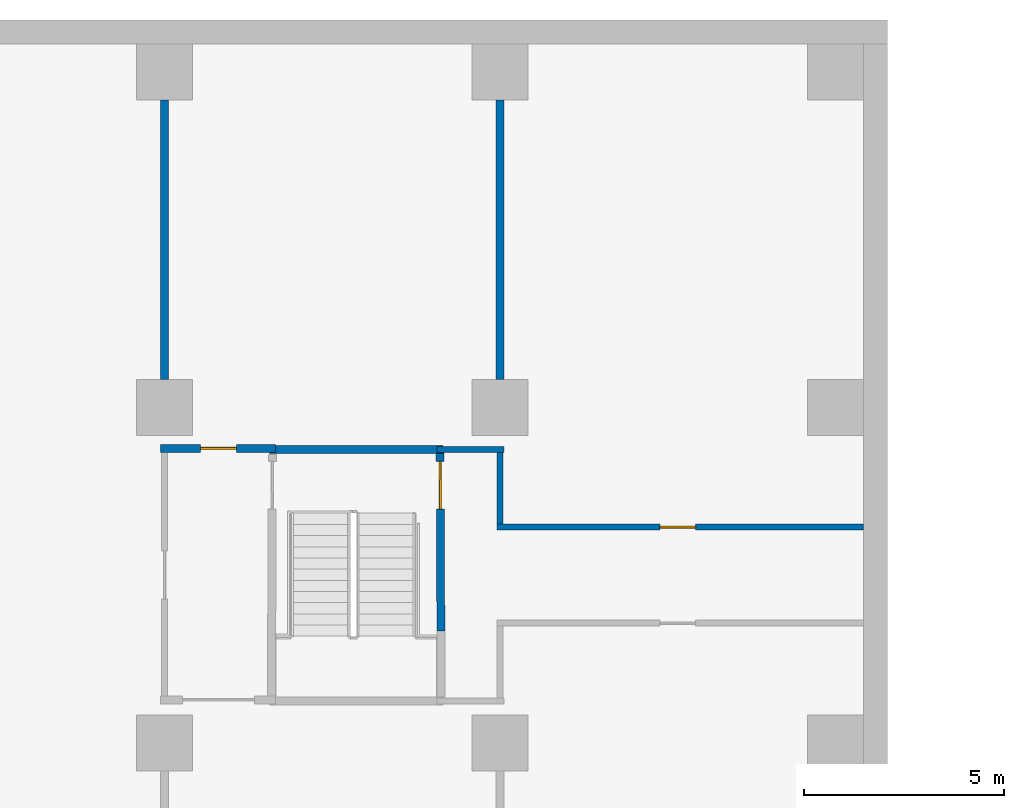
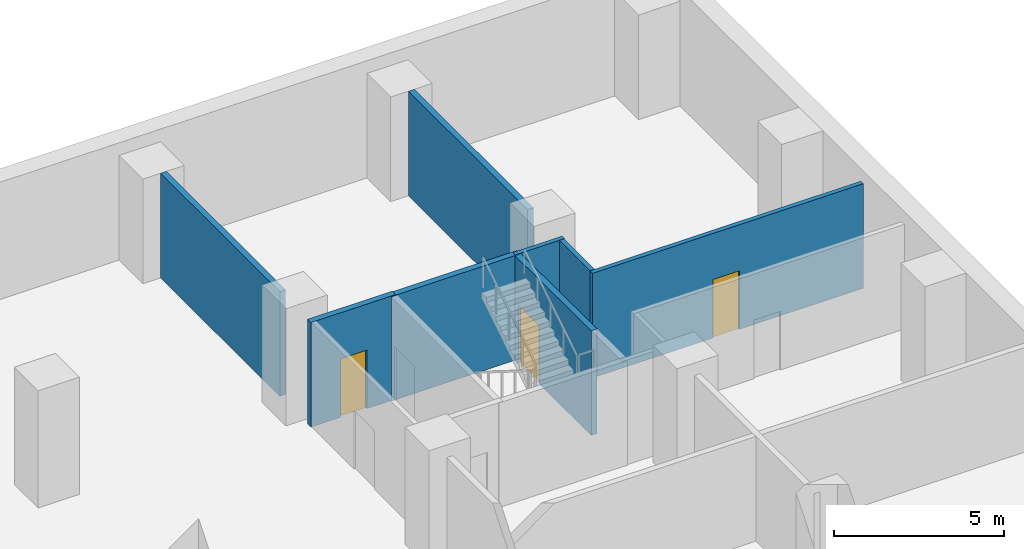
# One storey, part 11 of 17: 8 walls, 3 doors, 3 openings.
"""IFC4 building model written with IfcOpenShell, lengths in metres."""

from ifc_helpers import new_model, si_unit, direction, frame, frame_2d, origin, place, context, subcontext, project, spatial, rectangle, extrude, material, layer, layer_set, type_object, element, fill, save


model = new_model("IFC4")

# Units and contexts
model_context = context("Model", 3, precision=1e-05, world=origin(), true_north=direction((0.0, 1.0)))
body_context = subcontext(model_context, "Body", "Model", "MODEL_VIEW")
ifc_project = project(units=[si_unit("LENGTHUNIT", "METRE"), si_unit("AREAUNIT", "SQUARE_METRE"), si_unit("VOLUMEUNIT", "CUBIC_METRE"), si_unit("PLANEANGLEUNIT", "RADIAN"), si_unit("MASSUNIT", "GRAM", prefix="KILO")], contexts=[model_context])

# Site, building, storey
site_placement = place(None, origin())
site = spatial("IfcSite", under=ifc_project, at=site_placement, CompositionType="ELEMENT")
building_placement = place(site_placement, origin())
building = spatial("IfcBuilding", under=site, at=building_placement, Name="Vermilion Ogive Tower", CompositionType="ELEMENT")
storey_placement = place(building_placement, frame((0.0, 0.0, -4.199951171875)))
storey = spatial("IfcBuildingStorey", under=building, at=storey_placement, Name="B1", CompositionType="ELEMENT", Elevation=-4.199951171875)

# Wall, opening, door
ifc_material_1 = material(Name="Gypsum board partition on steel studs", Category="steel")
ifc_layer_1 = layer(ifc_material_1, 0.14990234375)
ifc_layer_set_1 = layer_set([ifc_layer_1], Name="Partition 150 corridor")
wall_type_1 = type_object("IfcWallType", Name="Partition 150 corridor", PredefinedType="PARTITIONING", material=ifc_layer_set_1)
wall_1_placement = place(storey_placement, frame((50.324951171875, 26.39990234375, 0.0), z_axis=(0.0, 0.0, 1.0), x_axis=(1.0, 0.0, 0.0)))
wall_1 = element("IfcWall", 1, at=wall_1_placement, inside=storey, type_object=wall_type_1, Name="B1-PK-W-W034", PredefinedType="PARTITIONING", context=body_context, shape_type="SweptSolid", body=[
    extrude(rectangle(XDim=9.174072265625, YDim=0.14990234375, at=frame_2d((4.5869140625, 0.0))), origin(), (0.0, 0.0, 1.0), 3.75),
])
opening_1_placement = place(wall_1_placement, frame((4.0751953125, 0.0, 0.0)))
opening_1 = element("IfcOpeningElement", 2, at=opening_1_placement, cuts=wall_1, Name="Opening PK1-31", PredefinedType="OPENING", context=body_context, shape_type="SweptSolid", body=[
    extrude(rectangle(XDim=0.89990234375, YDim=2.10009765625, at=frame_2d((0.449951171875, 1.050048828125))), frame((0.0, 0.0849609375, 0.0), z_axis=(0.0, -1.0, 0.0), x_axis=(1.0, 0.0, 0.0)), (0.0, 0.0, 1.0), 0.169921875),
])
ifc_material_2 = material(Name="Timber door leaf", Category="wood")
door_type_1 = type_object("IfcDoorType", Name="Staff door 900 x 2100 FD30", OperationType="SINGLE_SWING_LEFT", PredefinedType="DOOR", material=ifc_material_2)
door_1_placement = place(opening_1_placement, origin())
door_1 = element("IfcDoor", 3, at=door_1_placement, inside=storey, type_object=door_type_1, Name="B1-PK-D-D031", OperationType="SINGLE_SWING_RIGHT", OverallHeight=2.10009765625, OverallWidth=0.89990234375, PredefinedType="DOOR", context=body_context, shape_type="SweptSolid", body=[
    extrude(rectangle(XDim=0.89990234375, YDim=2.10009765625, at=frame_2d((0.449951171875, 1.050048828125))), frame((0.0, 0.02490234375, 0.0), z_axis=(0.0, -1.0, 0.0), x_axis=(1.0, 0.0, 0.0)), (0.0, 0.0, 1.0), 0.050048828125),
])
fill(opening_1, door_1)

# Walls
wall_2_placement = place(storey_placement, frame((48.824951171875, 28.35009765625, 0.0), z_axis=(0.0, 0.0, 1.0), x_axis=(1.0, 0.0, 0.0)))
element("IfcWall", 4, at=wall_2_placement, inside=storey, type_object=wall_type_1, Name="B1-PK-W-W037", PredefinedType="PARTITIONING", context=body_context, shape_type="SweptSolid", body=[
    extrude(rectangle(XDim=1.675048828125, YDim=0.14990234375, at=frame_2d((0.83740234375, 0.0))), origin(), (0.0, 0.0, 1.0), 3.75),
])
wall_3_placement = place(storey_placement, frame((50.39990234375, 26.47509765625, 0.0), z_axis=(0.0, 0.0, 1.0), x_axis=(0.0, 1.0, 0.0)))
element("IfcWall", 5, at=wall_3_placement, inside=storey, type_object=wall_type_1, Name="B1-PK-W-W078", PredefinedType="PARTITIONING", context=body_context, shape_type="SweptSolid", body=[
    extrude(rectangle(XDim=1.7998046875, YDim=0.14990234375, at=frame_2d((0.89990234375, 0.0))), origin(), (0.0, 0.0, 1.0), 3.75),
])
ifc_material_3 = material(Name="Gypsum board partition on steel studs", Category="steel")
ifc_layer_2 = layer(ifc_material_3, 0.199951171875)
ifc_layer_set_2 = layer_set([ifc_layer_2], Name="Partition 200 party")
wall_type_2 = type_object("IfcWallType", Name="Partition 200 party", PredefinedType="PARTITIONING", material=ifc_layer_set_2)
for number, where, z_axis, x_axis, name in (
    (6, (42.0, 30.10009765625, 0.0), (0.0, 0.0, 1.0), (0.0, 1.0, 0.0), "B1-PK-W-W062a"),
    (7, (50.39990234375, 30.10009765625, 0.0), (0.0, 0.0, 1.0), (0.0, 1.0, 0.0), "B1-PK-W-W079a"),
):
    element("IfcWall", number, at=place(storey_placement, frame(where, z_axis=z_axis, x_axis=x_axis)), inside=storey, type_object=wall_type_2, Name=name, PredefinedType="PARTITIONING", context=body_context, shape_type="SweptSolid", body=[
        extrude(rectangle(XDim=7.0, YDim=0.199951171875, at=frame_2d((3.5, 0.0))), origin(), (0.0, 0.0, 1.0), 3.75),
    ])

# Wall, opening, door
ifc_material_4 = material(Name="Concrete B60", Category="concrete")
ifc_layer_3 = layer(ifc_material_4, 0.199951171875)
ifc_layer_set_3 = layer_set([ifc_layer_3], Name="Stair shaft wall 200 Concrete B60")
wall_type_3 = type_object("IfcWallType", Name="Stair shaft wall 200 Concrete B60", PredefinedType="SOLIDWALL", material=ifc_layer_set_3)
wall_4_placement = place(storey_placement, frame((41.89990234375, 28.375, 0.0), z_axis=(0.0, 0.0, 1.0), x_axis=(1.0, 0.0, 0.0)))
wall_4 = element("IfcWall", 8, at=wall_4_placement, inside=storey, type_object=wall_type_3, Name="B1-PK-W-W035", PredefinedType="SOLIDWALL", context=body_context, shape_type="SweptSolid", body=[
    extrude(rectangle(XDim=2.875, YDim=0.199951171875, at=frame_2d((1.4375, 0.0))), origin(), (0.0, 0.0, 1.0), 3.75),
])
opening_2_placement = place(wall_4_placement, frame((1.0, 0.0, 0.0)))
opening_2 = element("IfcOpeningElement", 9, at=opening_2_placement, cuts=wall_4, Name="Opening PK1-30", PredefinedType="OPENING", context=body_context, shape_type="SweptSolid", body=[
    extrude(rectangle(XDim=0.89990234375, YDim=2.10009765625, at=frame_2d((0.449951171875, 1.050048828125))), frame((0.0, 0.10986328125, 0.0), z_axis=(0.0, -1.0, 0.0), x_axis=(1.0, 0.0, 0.0)), (0.0, 0.0, 1.0), 0.219970703125),
])
door_2_placement = place(opening_2_placement, origin())
door_2 = element("IfcDoor", 10, at=door_2_placement, inside=storey, type_object=door_type_1, Name="B1-PK-D-D030", OperationType="SINGLE_SWING_LEFT", OverallHeight=2.10009765625, OverallWidth=0.89990234375, PredefinedType="DOOR", context=body_context, shape_type="SweptSolid", body=[
    extrude(rectangle(XDim=0.89990234375, YDim=2.10009765625, at=frame_2d((0.449951171875, 1.050048828125))), frame((0.0, 0.02490234375, 0.0), z_axis=(0.0, -1.0, 0.0), x_axis=(1.0, 0.0, 0.0)), (0.0, 0.0, 1.0), 0.050048828125),
])
fill(opening_2, door_2)

# Wall
wall_5_placement = place(storey_placement, frame((44.625, 28.35009765625, 0.0), z_axis=(0.0, 0.0, 1.0), x_axis=(1.0, 0.0, 0.0)))
element("IfcWall", 11, at=wall_5_placement, inside=storey, type_object=wall_type_3, Name="B1-PK-W-W036", PredefinedType="SOLIDWALL", context=body_context, shape_type="SweptSolid", body=[
    extrude(rectangle(XDim=4.35009765625, YDim=0.199951171875, at=frame_2d((2.175048828125, 0.0))), origin(), (0.0, 0.0, 1.0), 3.75),
])

# Wall, opening, door
wall_6_placement = place(storey_placement, frame((48.918212890625, 23.7998046875, 0.0), z_axis=(0.0, 0.0, 1.0), x_axis=(-0.004091618778, 0.999991629293, 0.0)))
wall_6 = element("IfcWall", 12, at=wall_6_placement, inside=storey, type_object=wall_type_3, Name="B1-PK-W-W068-B", PredefinedType="SOLIDWALL", context=body_context, shape_type="SweptSolid", body=[
    extrude(rectangle(XDim=4.47509765625, YDim=0.199951171875, at=frame_2d((2.237548828125, 0.0))), origin(), (0.0, 0.0, 1.0), 3.75),
])
opening_3_placement = place(wall_6_placement, frame((3.05029296875, 0.0, 0.0)))
opening_3 = element("IfcOpeningElement", 13, at=opening_3_placement, cuts=wall_6, Name="Opening PK1-13", PredefinedType="OPENING", context=body_context, shape_type="SweptSolid", body=[
    extrude(rectangle(XDim=1.199951171875, YDim=2.10009765625, at=frame_2d((0.60009765625, 1.050048828125))), frame((0.0, 0.10986328125, 0.0), z_axis=(0.0, -1.0, 0.0), x_axis=(1.0, 0.0, 0.0)), (0.0, 0.0, 1.0), 0.219970703125),
])
ifc_material_5 = material(Name="Timber door leaf", Category="wood")
door_type_2 = type_object("IfcDoorType", Name="Stair door 1200 x 2100 FD60S", OperationType="SINGLE_SWING_LEFT", PredefinedType="DOOR", material=ifc_material_5)
door_3_placement = place(opening_3_placement, origin())
door_3 = element("IfcDoor", 14, at=door_3_placement, inside=storey, type_object=door_type_2, Name="B1-PK-D-D013", OperationType="DOUBLE_DOOR_SINGLE_SWING", OverallHeight=2.10009765625, OverallWidth=1.199951171875, PredefinedType="DOOR", context=body_context, shape_type="SweptSolid", body=[
    extrude(rectangle(XDim=1.199951171875, YDim=2.10009765625, at=frame_2d((0.60009765625, 1.050048828125))), frame((0.0, 0.02490234375, 0.0), z_axis=(0.0, -1.0, 0.0), x_axis=(1.0, 0.0, 0.0)), (0.0, 0.0, 1.0), 0.050048828125),
])
fill(opening_3, door_3)

save(model, "model.ifc")
